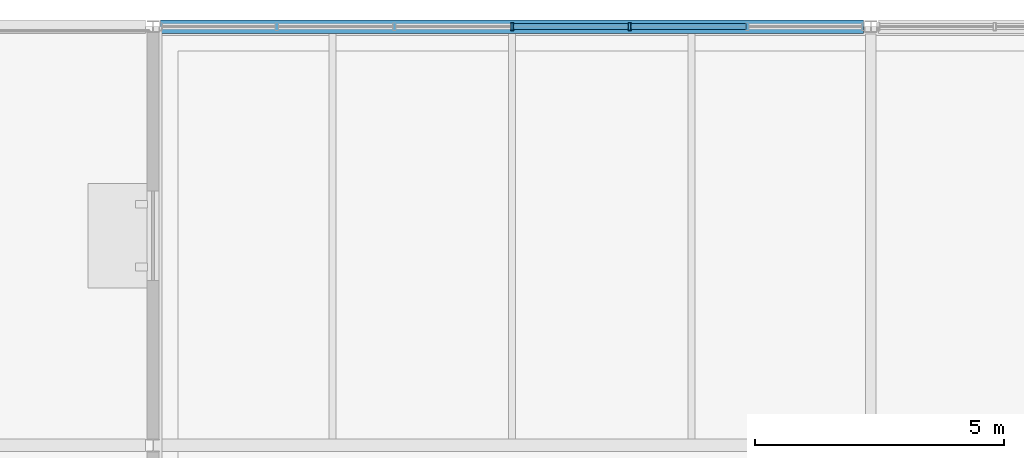
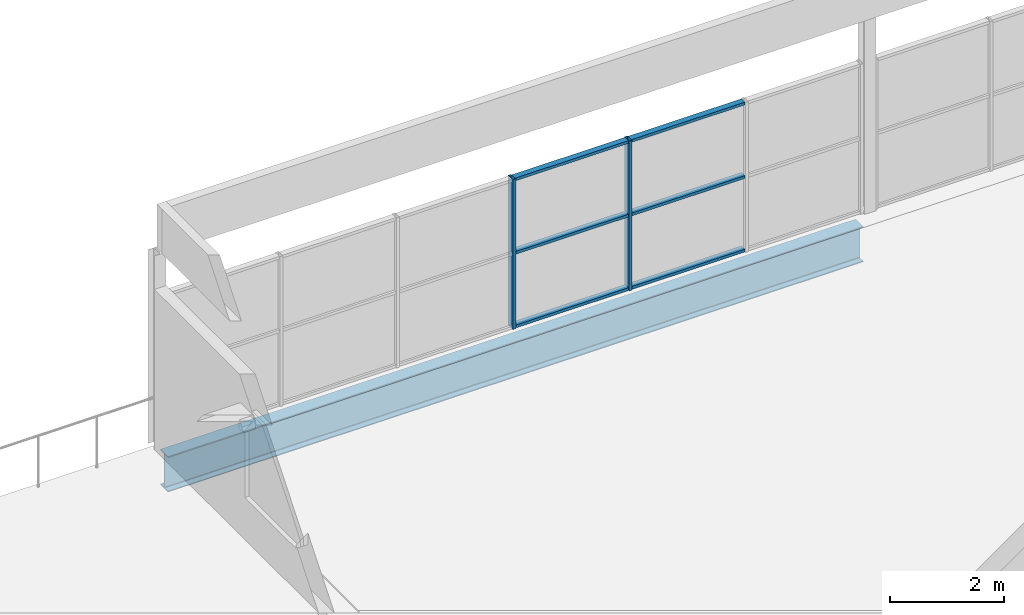
# One storey, part 19 of 43: 8 members, 1 beam, 1 element without a shape of its own.
"""IFC4 building model written with IfcOpenShell, lengths in metres."""

from ifc_helpers import new_model, si_unit, direction, frame, origin, origin_2d, place, context, subcontext, project, spatial, hollow_rectangle, i_section, extrude, material, material_profile, profile_set, type_object, element, aggregate, save


model = new_model("IFC4")

# Units and contexts
model_context = context("Model", 3, precision=1e-05, world=origin(), true_north=direction((0.0, 1.0)))
body_context = subcontext(model_context, "Body", "Model", "MODEL_VIEW")
ifc_project = project(units=[si_unit("LENGTHUNIT", "METRE"), si_unit("AREAUNIT", "SQUARE_METRE"), si_unit("VOLUMEUNIT", "CUBIC_METRE"), si_unit("PLANEANGLEUNIT", "RADIAN"), si_unit("MASSUNIT", "GRAM", prefix="KILO"), si_unit("THERMODYNAMICTEMPERATUREUNIT", "KELVIN")], contexts=[model_context])

# Site, building, storey
site_placement = place(None, origin())
site = spatial("IfcSite", under=ifc_project, at=site_placement, CompositionType="ELEMENT")
building_placement = place(site_placement, origin())
building = spatial("IfcBuilding", under=site, at=building_placement, Name="Nduvali Passage Aquatics Centre", CompositionType="ELEMENT")
storey_placement = place(building_placement, frame((0.0, 0.0, 17.39990234375)))
storey = spatial("IfcBuildingStorey", under=building, at=storey_placement, Name="L04", CompositionType="ELEMENT", Elevation=17.39990234375)

# Curtain wall, members
ifc_material_1 = material(Name="Aluminium EN AW-6063 T6", Category="aluminium")
curtain_wall_type = type_object("IfcCurtainWallType", Name="ENV-CW-WELL", PredefinedType="NOTDEFINED", material=ifc_material_1)
curtain_wall_placement = place(storey_placement, origin())
curtain_wall = element("IfcCurtainWall", 1, at=curtain_wall_placement, inside=storey, type_object=curtain_wall_type, Name="L04 North Avenue Recovery Lounge CW 106", PredefinedType="NOTDEFINED")
ifc_material_profile_1 = material_profile(ifc_material_1, hollow_rectangle(XDim=0.06005859375, YDim=0.159912109375, WallThickness=0.00390625, at=origin_2d()), Name="ALU MULLION 60x160x4")
ifc_profile_set_1 = profile_set([ifc_material_profile_1], Name="Aluminium EN AW-6063 T6")
member_type_1 = type_object("IfcMemberType", Name="ENV-MEM-MUL60", PredefinedType="MULLION", material=ifc_profile_set_1)
member_1_placement = place(storey_placement, frame((75.60009765625, 117.60009765625, 0.0), z_axis=(0.0, 0.0, 1.0), x_axis=(1.0, 0.0, 0.0)))
member_1 = element("IfcMember", 2, at=member_1_placement, type_object=member_type_1, Name="North Avenue Recovery Lounge CW Mullion 4", PredefinedType="MULLION", context=body_context, shape_type="SweptSolid", body=[
    extrude(hollow_rectangle(XDim=0.06005859375, YDim=0.159912109375, WallThickness=0.00390625, at=origin_2d()), origin(), (0.0, 0.0, 1.0), 3.2138671875),
])
member_2_placement = place(storey_placement, frame((77.9599609375, 117.60009765625, 0.0), z_axis=(0.0, 0.0, 1.0), x_axis=(1.0, 0.0, 0.0)))
member_2 = element("IfcMember", 3, at=member_2_placement, type_object=member_type_1, Name="North Avenue Recovery Lounge CW Mullion 5", PredefinedType="MULLION", context=body_context, shape_type="SweptSolid", body=[
    extrude(hollow_rectangle(XDim=0.06005859375, YDim=0.159912109375, WallThickness=0.00390625, at=origin_2d()), origin(), (0.0, 0.0, 1.0), 3.2138671875),
])
ifc_material_profile_2 = material_profile(ifc_material_1, hollow_rectangle(XDim=0.1201171875, YDim=0.06005859375, WallThickness=0.00390625, at=origin_2d()), Name="ALU TRANSOM 120x60x4")
ifc_profile_set_2 = profile_set([ifc_material_profile_2], Name="Aluminium EN AW-6063 T6")
member_type_2 = type_object("IfcMemberType", Name="ENV-MEM-TRN60", PredefinedType="USERDEFINED", material=ifc_profile_set_2)
member_3_placement = place(storey_placement, frame((75.6298828125, 117.60009765625, 0.030029296875), z_axis=(1.0, 0.0, 0.0), x_axis=(0.0, 1.0, 0.0)))
member_3 = element("IfcMember", 4, at=member_3_placement, type_object=member_type_2, Name="North Avenue Recovery Lounge CW Transom B4-R0", ObjectType="TRANSOM", PredefinedType="USERDEFINED", context=body_context, shape_type="SweptSolid", body=[
    extrude(hollow_rectangle(XDim=0.1201171875, YDim=0.06005859375, WallThickness=0.00390625, at=origin_2d()), origin(), (0.0, 0.0, 1.0), 2.300048828125),
])
member_4_placement = place(storey_placement, frame((75.6298828125, 117.60009765625, 1.60693359375), z_axis=(1.0, 0.0, 0.0), x_axis=(0.0, 1.0, 0.0)))
member_4 = element("IfcMember", 5, at=member_4_placement, type_object=member_type_2, Name="North Avenue Recovery Lounge CW Transom B4-R1", ObjectType="TRANSOM", PredefinedType="USERDEFINED", context=body_context, shape_type="SweptSolid", body=[
    extrude(hollow_rectangle(XDim=0.1201171875, YDim=0.06005859375, WallThickness=0.00390625, at=origin_2d()), origin(), (0.0, 0.0, 1.0), 2.300048828125),
])
member_5_placement = place(storey_placement, frame((75.6298828125, 117.60009765625, 3.183837890625), z_axis=(1.0, 0.0, 0.0), x_axis=(0.0, 1.0, 0.0)))
member_5 = element("IfcMember", 6, at=member_5_placement, type_object=member_type_2, Name="North Avenue Recovery Lounge CW Transom B4-R2", ObjectType="TRANSOM", PredefinedType="USERDEFINED", context=body_context, shape_type="SweptSolid", body=[
    extrude(hollow_rectangle(XDim=0.1201171875, YDim=0.06005859375, WallThickness=0.00390625, at=origin_2d()), origin(), (0.0, 0.0, 1.0), 2.300048828125),
])
member_6_placement = place(storey_placement, frame((77.989990234375, 117.60009765625, 0.030029296875), z_axis=(1.0, 0.0, 0.0), x_axis=(0.0, 1.0, 0.0)))
member_6 = element("IfcMember", 7, at=member_6_placement, type_object=member_type_2, Name="North Avenue Recovery Lounge CW Transom B5-R0", ObjectType="TRANSOM", PredefinedType="USERDEFINED", context=body_context, shape_type="SweptSolid", body=[
    extrude(hollow_rectangle(XDim=0.1201171875, YDim=0.06005859375, WallThickness=0.00390625, at=origin_2d()), origin(), (0.0, 0.0, 1.0), 2.300048828125),
])
member_7_placement = place(storey_placement, frame((77.989990234375, 117.60009765625, 1.60693359375), z_axis=(1.0, 0.0, 0.0), x_axis=(0.0, 1.0, 0.0)))
member_7 = element("IfcMember", 8, at=member_7_placement, type_object=member_type_2, Name="North Avenue Recovery Lounge CW Transom B5-R1", ObjectType="TRANSOM", PredefinedType="USERDEFINED", context=body_context, shape_type="SweptSolid", body=[
    extrude(hollow_rectangle(XDim=0.1201171875, YDim=0.06005859375, WallThickness=0.00390625, at=origin_2d()), origin(), (0.0, 0.0, 1.0), 2.300048828125),
])
member_8_placement = place(storey_placement, frame((77.989990234375, 117.60009765625, 3.183837890625), z_axis=(1.0, 0.0, 0.0), x_axis=(0.0, 1.0, 0.0)))
member_8 = element("IfcMember", 9, at=member_8_placement, type_object=member_type_2, Name="North Avenue Recovery Lounge CW Transom B5-R2", ObjectType="TRANSOM", PredefinedType="USERDEFINED", context=body_context, shape_type="SweptSolid", body=[
    extrude(hollow_rectangle(XDim=0.1201171875, YDim=0.06005859375, WallThickness=0.00390625, at=origin_2d()), origin(), (0.0, 0.0, 1.0), 2.300048828125),
])
aggregate(curtain_wall, [member_1, member_2, member_3, member_4, member_5, member_6, member_7, member_8])

# Beam
ifc_material_2 = material(Name="Steel S355", Category="steel")
ifc_material_profile_3 = material_profile(ifc_material_2, i_section(OverallWidth=0.2666015625, OverallDepth=0.76220703125, WebThickness=0.014404296875, FlangeThickness=0.021484375, FilletRadius=0.0166015625, at=origin_2d()), Name="UKB 762x267x173")
ifc_profile_set_3 = profile_set([ifc_material_profile_3], Name="Steel S355")
beam_type = type_object("IfcBeamType", Name="STR-BM-UKB762-EXT", PredefinedType="BEAM", material=ifc_profile_set_3)
beam_placement = place(storey_placement, frame((68.550048828125, 117.60009765625, -0.614990234375), z_axis=(1.0, 0.0, 0.0), x_axis=(0.0, 1.0, 0.0)))
element("IfcBeam", 10, at=beam_placement, inside=storey, type_object=beam_type, Name="L04 Primary X-Girder B4CE-1349", PredefinedType="BEAM", context=body_context, shape_type="SweptSolid", body=[
    extrude(i_section(OverallWidth=0.2666015625, OverallDepth=0.76220703125, WebThickness=0.014404296875, FlangeThickness=0.021484375, FilletRadius=0.0166015625, at=origin_2d()), origin(), (0.0, 0.0, 1.0), 14.099853515625),
])

save(model, "model.ifc")
